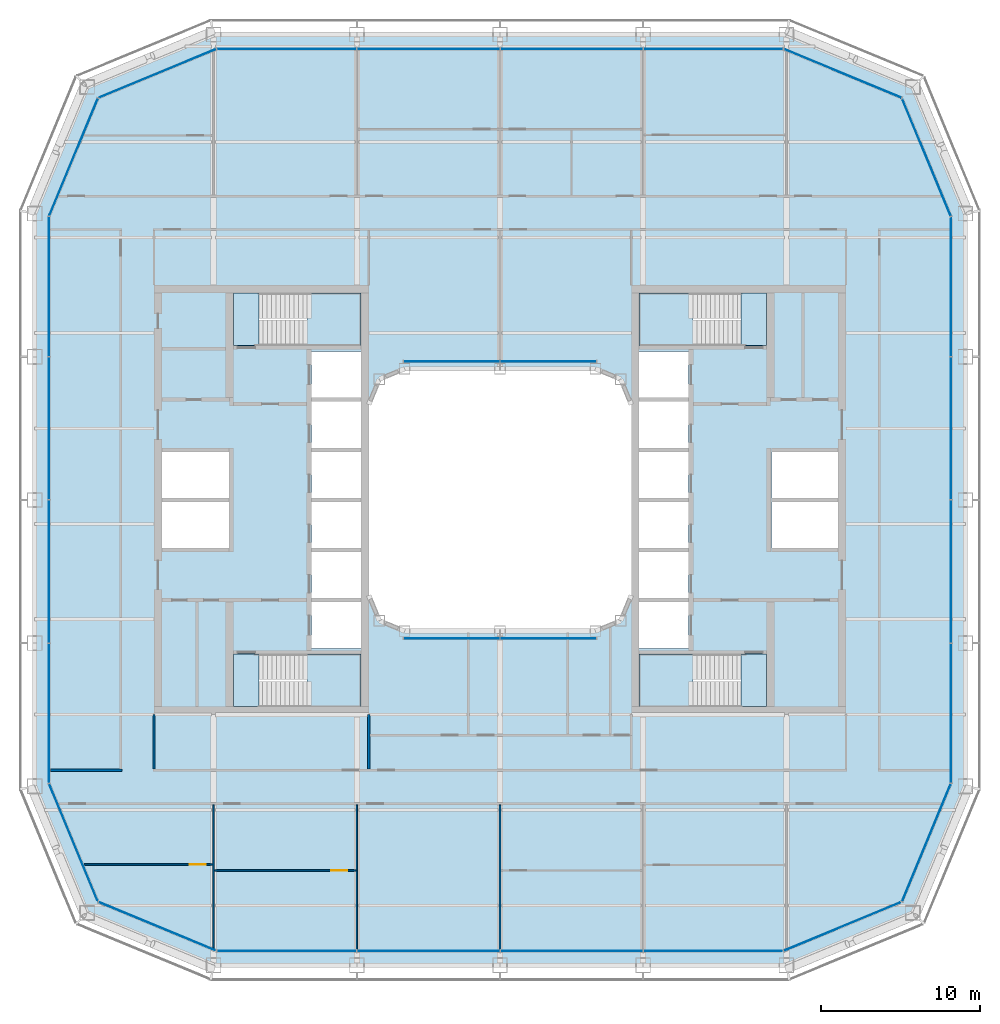
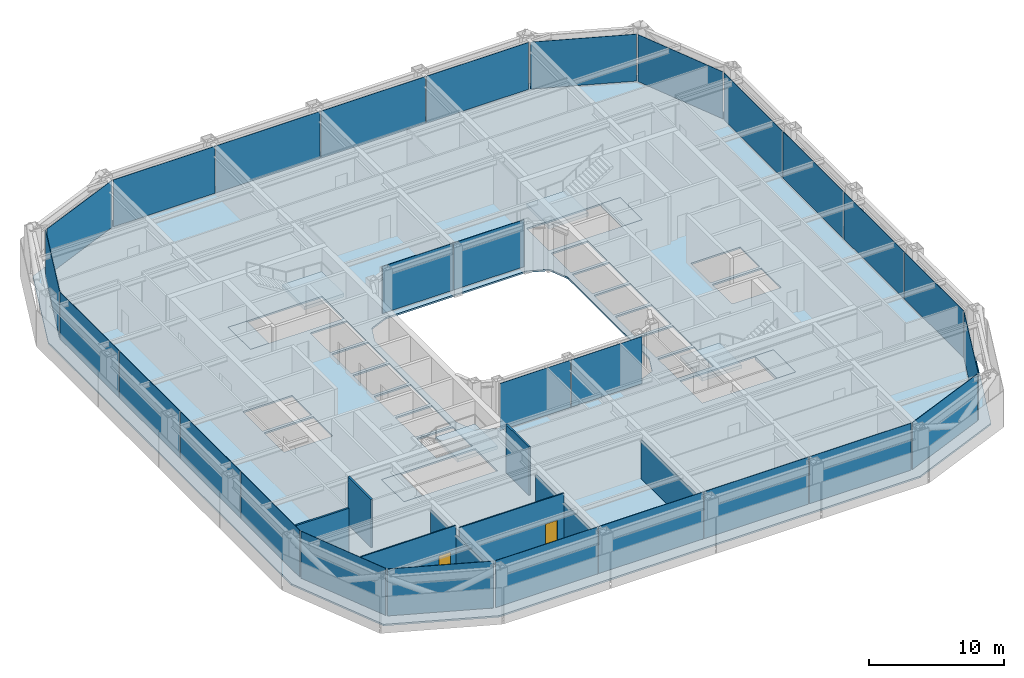
# One storey, part 10 of 21: 28 plates, 9 slabs, 8 walls, 2 doors, 2 openings, 18 elements without a shape of their own.
"""IFC4 building model written with IfcOpenShell, lengths in metres."""

import ifcopenshell
import ifcopenshell.guid

model = None  # the IFC model being written
_history = None  # IfcOwnerHistory: only IFC2X3 demands one
_inside = {}  # id of a spatial element -> (the spatial element, [elements in it])
_under = {}  # id of a project, library or spatial element -> (it, [spatial elements below it])
_declared = {}  # id of a project -> (the project, [libraries it declares])
_typed = {}  # id of a type object -> (the type object, [elements of that type])
_made_of = {}  # id of a material, layer set ... -> (it, [elements and type objects made of it])


def new_model(schema):
    """Start an empty IFC model of exactly this schema.

    Asked for "IFC4X3", IfcOpenShell would pick the latest addendum, in which some entities
    have other attributes; the version numbers below select the first issue.
    IFC2X3 requires an IfcOwnerHistory on every rooted entity: one is made here for all.
    """
    global model, _history
    if schema == "IFC4X3":
        model = ifcopenshell.file(schema_version=(4, 3, 0, 0))
    else:
        model = ifcopenshell.file(schema=schema)
    _inside.clear()
    _under.clear()
    _declared.clear()
    _typed.clear()
    _made_of.clear()
    _history = None
    if model.schema == "IFC2X3":
        org = make("IfcOrganization", Name="unknown")
        user = make(
            "IfcPersonAndOrganization",
            ThePerson=make("IfcPerson", FamilyName="unknown"),
            TheOrganization=org,
        )
        app = make(
            "IfcApplication",
            ApplicationDeveloper=org,
            Version="unknown",
            ApplicationFullName="unknown",
            ApplicationIdentifier="unknown",
        )
        _history = make(
            "IfcOwnerHistory",
            OwningUser=user,
            OwningApplication=app,
            ChangeAction="ADDED",
            CreationDate=0,
        )
    return model


def make(cls, **values):
    """One entity of the class cls with the attributes given. An attribute that is None is left unset."""
    return model.create_entity(
        cls, **{name: value for name, value in values.items() if value is not None}
    )


def rooted(cls, **values):
    """An entity with a GlobalId (a new one), such as an element, a storey or a relation."""
    return make(cls, GlobalId=ifcopenshell.guid.new(), OwnerHistory=_history, **values)


def si_unit(unit_type, name, prefix=None):
    """IfcSIUnit, for example si_unit("LENGTHUNIT", "METRE", prefix="MILLI")."""
    return make("IfcSIUnit", UnitType=unit_type, Prefix=prefix, Name=name)


def assignment(units):
    """IfcUnitAssignment: the units of a project."""
    return None if units is None else make("IfcUnitAssignment", Units=units)


def point(xyz):
    """IfcCartesianPoint."""
    return None if xyz is None else make("IfcCartesianPoint", Coordinates=xyz)


def direction(xyz):
    """IfcDirection."""
    return None if xyz is None else make("IfcDirection", DirectionRatios=xyz)


def frame(location, z_axis=None, x_axis=None):
    """IfcAxis2Placement3D, a coordinate frame: its origin and axes. An axis left out is left unset."""
    return make(
        "IfcAxis2Placement3D",
        Location=point(location),
        Axis=direction(z_axis),
        RefDirection=direction(x_axis),
    )


def frame_2d(location, x_axis=None):
    """IfcAxis2Placement2D, a coordinate frame in the plane: its origin and x axis."""
    return make(
        "IfcAxis2Placement2D", Location=point(location), RefDirection=direction(x_axis)
    )


def origin():
    """The frame at (0, 0, 0) with its axes left unset."""
    return frame((0.0, 0.0, 0.0))


def origin_2d():
    """The frame at (0, 0) in the plane with its x axis left unset."""
    return frame_2d((0.0, 0.0))


def place(relative_to, where):
    """IfcLocalPlacement: puts the frame where relative to a parent placement (None: the world)."""
    return make(
        "IfcLocalPlacement", PlacementRelTo=relative_to, RelativePlacement=where
    )


def context(
    kind, dimensions, precision=None, world=None, true_north=None, identifier=None
):
    """IfcGeometricRepresentationContext, for example the 3D "Model" context."""
    return make(
        "IfcGeometricRepresentationContext",
        ContextIdentifier=identifier,
        ContextType=kind,
        CoordinateSpaceDimension=dimensions,
        Precision=precision,
        WorldCoordinateSystem=world,
        TrueNorth=true_north,
    )


def subcontext(parent, identifier, kind, view, scale=None):
    """IfcGeometricRepresentationSubContext, for example "Body" below "Model"."""
    return make(
        "IfcGeometricRepresentationSubContext",
        ContextIdentifier=identifier,
        ContextType=kind,
        ParentContext=parent,
        TargetScale=scale,
        TargetView=view,
    )


def project(units=None, contexts=None):
    """IfcProject with its units and contexts."""
    return rooted(
        "IfcProject",
        Name="project",
        RepresentationContexts=contexts,
        UnitsInContext=assignment(units),
    )


def spatial(cls, under=None, at=None, **own):
    """A site, building, storey or space (cls), placed at a placement, below another one or the project."""
    s = rooted(cls, ObjectPlacement=at, **own)
    if under is not None:
        _under.setdefault(under.id(), (under, []))[1].append(s)
    return s


def polyline(points):
    """IfcPolyline through the points."""
    return make("IfcPolyline", Points=[point(p) for p in points])


def profile(cls, at=None, kind="AREA", **sizes):
    """A parametric profile (cls). Its sizes go by their IFC names, for example OverallWidth=200.0."""
    return make(cls, ProfileType=kind, Position=at, **sizes)


def rectangle(**sizes):
    """IfcRectangleProfileDef."""
    return profile("IfcRectangleProfileDef", **sizes)


def outline(outer, holes=None, kind="AREA"):
    """IfcArbitraryClosedProfileDef: a profile drawn as a closed curve; with holes, ...WithVoids."""
    if holes is None:
        return make("IfcArbitraryClosedProfileDef", ProfileType=kind, OuterCurve=outer)
    return make(
        "IfcArbitraryProfileDefWithVoids",
        ProfileType=kind,
        OuterCurve=outer,
        InnerCurves=holes,
    )


def extrude(swept, where, along, depth):
    """IfcExtrudedAreaSolid: the profile swept, set in the frame where, extruded along a direction by depth."""
    return make(
        "IfcExtrudedAreaSolid",
        SweptArea=swept,
        Position=where,
        ExtrudedDirection=direction(along),
        Depth=depth,
    )


def shape(context_of_items, identifier, shape_type, items):
    """IfcShapeRepresentation: the items that make up one representation, for example the "Body"."""
    return make(
        "IfcShapeRepresentation",
        ContextOfItems=context_of_items,
        RepresentationIdentifier=identifier,
        RepresentationType=shape_type,
        Items=items,
    )


def material(Name=None, Category=None):
    """IfcMaterial."""
    return make("IfcMaterial", Name=Name, Category=Category)


def layer(
    of_material, thickness, ventilated=None, Name=None, Category=None, Priority=None
):
    """IfcMaterialLayer: one layer of a wall or slab, of a material (None: an air gap)."""
    return make(
        "IfcMaterialLayer",
        Material=of_material,
        LayerThickness=thickness,
        IsVentilated=ventilated,
        Name=Name,
        Category=Category,
        Priority=Priority,
    )


def layer_set(layers, Name=None):
    """IfcMaterialLayerSet."""
    return make("IfcMaterialLayerSet", MaterialLayers=layers, LayerSetName=Name)


def made_of(thing, what):
    """Note that an element or type object is made of a material, layer set ...; save() writes the relation."""
    if what is not None:
        _made_of.setdefault(what.id(), (what, []))[1].append(thing)
    return thing


def type_object(cls, material=None, **own):
    """A type object (cls), such as IfcWallType, which elements share."""
    return made_of(rooted(cls, **own), material)


def element(
    cls,
    number,
    at=None,
    inside=None,
    cuts=None,
    type_object=None,
    material=None,
    context=None,
    identifier="Body",
    shape_type=None,
    held_by="IfcProductDefinitionShape",
    body=None,
    shapes=None,
    **own,
):
    """One element of the class cls, such as IfcWall. Its Tag is "e" and its number.

    at: its placement. inside: the storey or other place that contains it. cuts: it is an
    opening in that element (IfcRelVoidsElement). A single representation is given by context,
    identifier, shape_type and body (its items); several are given by shapes. held_by: the class
    of the entity that holds the representations. save() writes the other relations.
    """
    e = rooted(cls, Tag="e%d" % number, ObjectPlacement=at, **own)
    if body is not None:
        shapes = [shape(context, identifier, shape_type, body)]
    if shapes is not None:
        e.Representation = make(held_by, Representations=shapes)
    if inside is not None:
        _inside.setdefault(inside.id(), (inside, []))[1].append(e)
    if cuts is not None:
        rooted(
            "IfcRelVoidsElement", RelatingBuildingElement=cuts, RelatedOpeningElement=e
        )
    if type_object is not None:
        _typed.setdefault(type_object.id(), (type_object, []))[1].append(e)
    return made_of(e, material)


def fill(opening, filler):
    """IfcRelFillsElement: the door or window that sits in an opening."""
    return rooted(
        "IfcRelFillsElement",
        RelatingOpeningElement=opening,
        RelatedBuildingElement=filler,
    )


def aggregate(whole, parts):
    """IfcRelAggregates: a whole, such as a stair, and the parts it consists of."""
    return rooted("IfcRelAggregates", RelatingObject=whole, RelatedObjects=parts)


def save(model, path):
    """Write the relations noted so far, then the file.

    IfcRelAggregates (storeys below a building ...), IfcRelContainedInSpatialStructure (elements
    in a storey), IfcRelDefinesByType, IfcRelAssociatesMaterial and IfcRelDeclares: one each for
    every whole, place, type object, material and project.
    """
    for whole, parts in _under.values():
        aggregate(whole, parts)
    for where, things in _inside.values():
        rooted(
            "IfcRelContainedInSpatialStructure",
            RelatedElements=things,
            RelatingStructure=where,
        )
    for kind, things in _typed.values():
        rooted("IfcRelDefinesByType", RelatedObjects=things, RelatingType=kind)
    for what, things in _made_of.values():
        rooted("IfcRelAssociatesMaterial", RelatedObjects=things, RelatingMaterial=what)
    for by, libraries in _declared.values():
        rooted("IfcRelDeclares", RelatingContext=by, RelatedDefinitions=libraries)
    model.write(path)


model = new_model("IFC4")

# Units and contexts
model_context = context("Model", 3, precision=1e-05, world=origin(), true_north=direction((0.0, 1.0)))
body_context = subcontext(model_context, "Body", "Model", "MODEL_VIEW")
ifc_project = project(units=[si_unit("LENGTHUNIT", "METRE"), si_unit("AREAUNIT", "SQUARE_METRE"), si_unit("VOLUMEUNIT", "CUBIC_METRE"), si_unit("PLANEANGLEUNIT", "RADIAN"), si_unit("MASSUNIT", "GRAM", prefix="KILO")], contexts=[model_context])

# Site, building, storey
site_placement = place(None, origin())
site = spatial("IfcSite", under=ifc_project, at=site_placement, CompositionType="ELEMENT")
building_placement = place(site_placement, origin())
building = spatial("IfcBuilding", under=site, at=building_placement, Name="Siwar Civic Tower", CompositionType="ELEMENT")
storey_placement = place(building_placement, frame((0.0, 0.0, 104.699951171875)))
storey = spatial("IfcBuildingStorey", under=building, at=storey_placement, Name="L22", CompositionType="ELEMENT", Elevation=104.699951171875)

# Stair, slabs
ifc_material_1 = material(Name="Concrete C40/50", Category="concrete")
stair_type = type_object("IfcStairType", Name="CORE-STAIR", PredefinedType="TWO_STRAIGHT_RUN_STAIR", material=ifc_material_1)
stair_1_placement = place(storey_placement, origin())
stair_1 = element("IfcStair", 1, at=stair_1_placement, inside=storey, type_object=stair_type, Name="Exit stair ST1", PredefinedType="TWO_STRAIGHT_RUN_STAIR")
ifc_material_2 = material(Name="Concrete C40/50", Category="concrete")
ifc_layer_1 = layer(ifc_material_2, 0.300048828125)
ifc_layer_set_1 = layer_set([ifc_layer_1], Name="Concrete C40/50")
slab_type_1 = type_object("IfcSlabType", Name="CORE-STAIR-LANDING", PredefinedType="LANDING", material=ifc_layer_set_1)
slab_1_placement = place(storey_placement, frame((0.0, 0.0, -0.300048828125)))
slab_1 = element("IfcSlab", 2, at=slab_1_placement, type_object=slab_type_1, Name="ST1 landing 1", PredefinedType="LANDING", context=body_context, shape_type="SweptSolid", body=[
    extrude(outline(polyline([(-15.14990234375, 13.0), (-16.75, 13.0), (-16.75, 9.699951171875), (-15.14990234375, 9.699951171875), (-15.14990234375, 13.0)])), origin(), (0.0, 0.0, 1.0), 0.300048828125),
])
slab_2_placement = place(storey_placement, frame((0.0, 0.0, 1.949951171875)))
slab_2 = element("IfcSlab", 3, at=slab_2_placement, type_object=slab_type_1, Name="ST1 landing 2", PredefinedType="LANDING", context=body_context, shape_type="SweptSolid", body=[
    extrude(outline(polyline([(-8.75, 13.0), (-12.139892578125, 13.0), (-12.139892578125, 9.699951171875), (-8.75, 9.699951171875), (-8.75, 13.0)])), origin(), (0.0, 0.0, 1.0), 0.300048828125),
])
aggregate(stair_1, [slab_1, slab_2])

stair_2_placement = place(storey_placement, origin())
stair_2 = element("IfcStair", 4, at=stair_2_placement, inside=storey, type_object=stair_type, Name="Exit stair ST2", PredefinedType="TWO_STRAIGHT_RUN_STAIR")
slab_3_placement = place(storey_placement, frame((0.0, 0.0, -0.300048828125)))
slab_3 = element("IfcSlab", 5, at=slab_3_placement, type_object=slab_type_1, Name="ST2 landing 1", PredefinedType="LANDING", context=body_context, shape_type="SweptSolid", body=[
    extrude(outline(polyline([(-15.14990234375, -9.699951171875), (-16.75, -9.699951171875), (-16.75, -13.0), (-15.14990234375, -13.0), (-15.14990234375, -9.699951171875)])), origin(), (0.0, 0.0, 1.0), 0.300048828125),
])
slab_4_placement = place(storey_placement, frame((0.0, 0.0, 1.949951171875)))
slab_4 = element("IfcSlab", 6, at=slab_4_placement, type_object=slab_type_1, Name="ST2 landing 2", PredefinedType="LANDING", context=body_context, shape_type="SweptSolid", body=[
    extrude(outline(polyline([(-8.75, -9.699951171875), (-12.139892578125, -9.699951171875), (-12.139892578125, -13.0), (-8.75, -13.0), (-8.75, -9.699951171875)])), origin(), (0.0, 0.0, 1.0), 0.300048828125),
])
aggregate(stair_2, [slab_3, slab_4])

stair_3_placement = place(storey_placement, origin())
stair_3 = element("IfcStair", 7, at=stair_3_placement, inside=storey, type_object=stair_type, Name="Exit stair ST3", PredefinedType="TWO_STRAIGHT_RUN_STAIR")
slab_5_placement = place(storey_placement, frame((0.0, 0.0, -0.300048828125)))
slab_5 = element("IfcSlab", 8, at=slab_5_placement, type_object=slab_type_1, Name="ST3 landing 1", PredefinedType="LANDING", context=body_context, shape_type="SweptSolid", body=[
    extrude(outline(polyline([(15.14990234375, 9.699951171875), (16.75, 9.699951171875), (16.75, 13.0), (15.14990234375, 13.0), (15.14990234375, 9.699951171875)])), origin(), (0.0, 0.0, 1.0), 0.300048828125),
])
slab_6_placement = place(storey_placement, frame((0.0, 0.0, 1.949951171875)))
slab_6 = element("IfcSlab", 9, at=slab_6_placement, type_object=slab_type_1, Name="ST3 landing 2", PredefinedType="LANDING", context=body_context, shape_type="SweptSolid", body=[
    extrude(outline(polyline([(8.75, 9.699951171875), (12.139892578125, 9.699951171875), (12.139892578125, 13.0), (8.75, 13.0), (8.75, 9.699951171875)])), origin(), (0.0, 0.0, 1.0), 0.300048828125),
])
aggregate(stair_3, [slab_5, slab_6])

stair_4_placement = place(storey_placement, origin())
stair_4 = element("IfcStair", 10, at=stair_4_placement, inside=storey, type_object=stair_type, Name="Exit stair ST4", PredefinedType="TWO_STRAIGHT_RUN_STAIR")
slab_7_placement = place(storey_placement, frame((0.0, 0.0, -0.300048828125)))
slab_7 = element("IfcSlab", 11, at=slab_7_placement, type_object=slab_type_1, Name="ST4 landing 1", PredefinedType="LANDING", context=body_context, shape_type="SweptSolid", body=[
    extrude(outline(polyline([(15.14990234375, -13.0), (16.75, -13.0), (16.75, -9.699951171875), (15.14990234375, -9.699951171875), (15.14990234375, -13.0)])), origin(), (0.0, 0.0, 1.0), 0.300048828125),
])
slab_8_placement = place(storey_placement, frame((0.0, 0.0, 1.949951171875)))
slab_8 = element("IfcSlab", 12, at=slab_8_placement, type_object=slab_type_1, Name="ST4 landing 2", PredefinedType="LANDING", context=body_context, shape_type="SweptSolid", body=[
    extrude(outline(polyline([(8.75, -13.0), (12.139892578125, -13.0), (12.139892578125, -9.699951171875), (8.75, -9.699951171875), (8.75, -13.0)])), origin(), (0.0, 0.0, 1.0), 0.300048828125),
])
aggregate(stair_4, [slab_7, slab_8])

# Curtain wall, plates
ifc_material_3 = material(Name="Aluminium and glass", Category="aluminium")
ifc_layer_2 = layer(ifc_material_3, 0.199951171875)
ifc_layer_set_2 = layer_set([ifc_layer_2], Name="Aluminium and glass")
curtain_wall_type_1 = type_object("IfcCurtainWallType", Name="ENV-CW-B", PredefinedType="NOTDEFINED", material=ifc_layer_set_2)
curtain_wall_1_placement = place(storey_placement, origin())
curtain_wall_1 = element("IfcCurtainWall", 13, at=curtain_wall_1_placement, inside=storey, type_object=curtain_wall_type_1, Name="Curtain wall B S", PredefinedType="NOTDEFINED")
ifc_material_4 = material(Name="Glass clear laminated", Category="glass")
ifc_layer_3 = layer(ifc_material_4, 0.033935546875)
ifc_layer_set_3 = layer_set([ifc_layer_3], Name="Glass clear laminated")
plate_type_1 = type_object("IfcPlateType", Name="ENV-PANEL-B", PredefinedType="CURTAIN_PANEL", material=ifc_layer_set_3)
plate_1_placement = place(storey_placement, frame((-13.410400390625, -28.35009765625, 0.10986328125), z_axis=(0.0, 0.0, 1.0), x_axis=(1.0, 0.0, 0.0)))
plate_1 = element("IfcPlate", 14, at=plate_1_placement, type_object=plate_type_1, Name="Curtain panel B S 1", PredefinedType="CURTAIN_PANEL", context=body_context, shape_type="SweptSolid", body=[
    extrude(rectangle(XDim=8.755859375, YDim=0.033935546875, at=origin_2d()), origin(), (0.0, 0.0, 1.0), 4.239990234375),
])
plate_2_placement = place(storey_placement, frame((-4.5, -28.35009765625, 0.10986328125), z_axis=(0.0, 0.0, 1.0), x_axis=(1.0, 0.0, 0.0)))
plate_2 = element("IfcPlate", 15, at=plate_2_placement, type_object=plate_type_1, Name="Curtain panel B S 2", PredefinedType="CURTAIN_PANEL", context=body_context, shape_type="SweptSolid", body=[
    extrude(rectangle(XDim=8.93505859375, YDim=0.033935546875, at=origin_2d()), origin(), (0.0, 0.0, 1.0), 4.239990234375),
])
plate_3_placement = place(storey_placement, frame((4.5, -28.35009765625, 0.10986328125), z_axis=(0.0, 0.0, 1.0), x_axis=(1.0, 0.0, 0.0)))
plate_3 = element("IfcPlate", 16, at=plate_3_placement, type_object=plate_type_1, Name="Curtain panel B S 3", PredefinedType="CURTAIN_PANEL", context=body_context, shape_type="SweptSolid", body=[
    extrude(rectangle(XDim=8.93505859375, YDim=0.033935546875, at=origin_2d()), origin(), (0.0, 0.0, 1.0), 4.239990234375),
])
plate_4_placement = place(storey_placement, frame((13.369873046875, -28.35009765625, 0.10986328125), z_axis=(0.0, 0.0, 1.0), x_axis=(1.0, 0.0, 0.0)))
plate_4 = element("IfcPlate", 17, at=plate_4_placement, type_object=plate_type_1, Name="Curtain panel B S 4", PredefinedType="CURTAIN_PANEL", context=body_context, shape_type="SweptSolid", body=[
    extrude(rectangle(XDim=8.6748046875, YDim=0.033935546875, at=origin_2d()), origin(), (0.0, 0.0, 1.0), 4.239990234375),
])
aggregate(curtain_wall_1, [plate_1, plate_2, plate_3, plate_4])

curtain_wall_2_placement = place(storey_placement, origin())
curtain_wall_2 = element("IfcCurtainWall", 18, at=curtain_wall_2_placement, inside=storey, type_object=curtain_wall_type_1, Name="Curtain wall B E", PredefinedType="NOTDEFINED")
plate_5_placement = place(storey_placement, frame((28.35009765625, -13.410400390625, 0.10986328125), z_axis=(0.0, 0.0, 1.0), x_axis=(0.0, 1.0, 0.0)))
plate_5 = element("IfcPlate", 19, at=plate_5_placement, type_object=plate_type_1, Name="Curtain panel B E 1", PredefinedType="CURTAIN_PANEL", context=body_context, shape_type="SweptSolid", body=[
    extrude(rectangle(XDim=8.755859375, YDim=0.033935546875, at=origin_2d()), origin(), (0.0, 0.0, 1.0), 4.239990234375),
])
plate_6_placement = place(storey_placement, frame((28.35009765625, -4.5, 0.10986328125), z_axis=(0.0, 0.0, 1.0), x_axis=(0.0, 1.0, 0.0)))
plate_6 = element("IfcPlate", 20, at=plate_6_placement, type_object=plate_type_1, Name="Curtain panel B E 2", PredefinedType="CURTAIN_PANEL", context=body_context, shape_type="SweptSolid", body=[
    extrude(rectangle(XDim=8.93505859375, YDim=0.033935546875, at=origin_2d()), origin(), (0.0, 0.0, 1.0), 4.239990234375),
])
plate_7_placement = place(storey_placement, frame((28.35009765625, 4.5, 0.10986328125), z_axis=(0.0, 0.0, 1.0), x_axis=(0.0, 1.0, 0.0)))
plate_7 = element("IfcPlate", 21, at=plate_7_placement, type_object=plate_type_1, Name="Curtain panel B E 3", PredefinedType="CURTAIN_PANEL", context=body_context, shape_type="SweptSolid", body=[
    extrude(rectangle(XDim=8.93505859375, YDim=0.033935546875, at=origin_2d()), origin(), (0.0, 0.0, 1.0), 4.239990234375),
])
plate_8_placement = place(storey_placement, frame((28.35009765625, 13.369873046875, 0.10986328125), z_axis=(0.0, 0.0, 1.0), x_axis=(0.0, 1.0, 0.0)))
plate_8 = element("IfcPlate", 22, at=plate_8_placement, type_object=plate_type_1, Name="Curtain panel B E 4", PredefinedType="CURTAIN_PANEL", context=body_context, shape_type="SweptSolid", body=[
    extrude(rectangle(XDim=8.6748046875, YDim=0.033935546875, at=origin_2d()), origin(), (0.0, 0.0, 1.0), 4.239990234375),
])
aggregate(curtain_wall_2, [plate_5, plate_6, plate_7, plate_8])

curtain_wall_3_placement = place(storey_placement, origin())
curtain_wall_3 = element("IfcCurtainWall", 23, at=curtain_wall_3_placement, inside=storey, type_object=curtain_wall_type_1, Name="Curtain wall B N", PredefinedType="NOTDEFINED")
plate_9_placement = place(storey_placement, frame((13.410400390625, 28.35009765625, 0.10986328125), z_axis=(0.0, 0.0, 1.0), x_axis=(-1.0, 0.0, 0.0)))
plate_9 = element("IfcPlate", 24, at=plate_9_placement, type_object=plate_type_1, Name="Curtain panel B N 1", PredefinedType="CURTAIN_PANEL", context=body_context, shape_type="SweptSolid", body=[
    extrude(rectangle(XDim=8.755859375, YDim=0.033935546875, at=origin_2d()), origin(), (0.0, 0.0, 1.0), 4.239990234375),
])
plate_10_placement = place(storey_placement, frame((4.5, 28.35009765625, 0.10986328125), z_axis=(0.0, 0.0, 1.0), x_axis=(-1.0, 0.0, 0.0)))
plate_10 = element("IfcPlate", 25, at=plate_10_placement, type_object=plate_type_1, Name="Curtain panel B N 2", PredefinedType="CURTAIN_PANEL", context=body_context, shape_type="SweptSolid", body=[
    extrude(rectangle(XDim=8.93505859375, YDim=0.033935546875, at=origin_2d()), origin(), (0.0, 0.0, 1.0), 4.239990234375),
])
plate_11_placement = place(storey_placement, frame((-4.5, 28.35009765625, 0.10986328125), z_axis=(0.0, 0.0, 1.0), x_axis=(-1.0, 0.0, 0.0)))
plate_11 = element("IfcPlate", 26, at=plate_11_placement, type_object=plate_type_1, Name="Curtain panel B N 3", PredefinedType="CURTAIN_PANEL", context=body_context, shape_type="SweptSolid", body=[
    extrude(rectangle(XDim=8.93505859375, YDim=0.033935546875, at=origin_2d()), origin(), (0.0, 0.0, 1.0), 4.239990234375),
])
plate_12_placement = place(storey_placement, frame((-13.369873046875, 28.35009765625, 0.10986328125), z_axis=(0.0, 0.0, 1.0), x_axis=(-1.0, 0.0, 0.0)))
plate_12 = element("IfcPlate", 27, at=plate_12_placement, type_object=plate_type_1, Name="Curtain panel B N 4", PredefinedType="CURTAIN_PANEL", context=body_context, shape_type="SweptSolid", body=[
    extrude(rectangle(XDim=8.6748046875, YDim=0.033935546875, at=origin_2d()), origin(), (0.0, 0.0, 1.0), 4.239990234375),
])
aggregate(curtain_wall_3, [plate_9, plate_10, plate_11, plate_12])

curtain_wall_4_placement = place(storey_placement, origin())
curtain_wall_4 = element("IfcCurtainWall", 28, at=curtain_wall_4_placement, inside=storey, type_object=curtain_wall_type_1, Name="Curtain wall B W", PredefinedType="NOTDEFINED")
plate_13_placement = place(storey_placement, frame((-28.35009765625, 13.410400390625, 0.10986328125), z_axis=(0.0, 0.0, 1.0), x_axis=(0.0, -1.0, 0.0)))
plate_13 = element("IfcPlate", 29, at=plate_13_placement, type_object=plate_type_1, Name="Curtain panel B W 1", PredefinedType="CURTAIN_PANEL", context=body_context, shape_type="SweptSolid", body=[
    extrude(rectangle(XDim=8.755859375, YDim=0.033935546875, at=origin_2d()), origin(), (0.0, 0.0, 1.0), 4.239990234375),
])
plate_14_placement = place(storey_placement, frame((-28.35009765625, 4.5, 0.10986328125), z_axis=(0.0, 0.0, 1.0), x_axis=(0.0, -1.0, 0.0)))
plate_14 = element("IfcPlate", 30, at=plate_14_placement, type_object=plate_type_1, Name="Curtain panel B W 2", PredefinedType="CURTAIN_PANEL", context=body_context, shape_type="SweptSolid", body=[
    extrude(rectangle(XDim=8.93505859375, YDim=0.033935546875, at=origin_2d()), origin(), (0.0, 0.0, 1.0), 4.239990234375),
])
plate_15_placement = place(storey_placement, frame((-28.35009765625, -4.5, 0.10986328125), z_axis=(0.0, 0.0, 1.0), x_axis=(0.0, -1.0, 0.0)))
plate_15 = element("IfcPlate", 31, at=plate_15_placement, type_object=plate_type_1, Name="Curtain panel B W 3", PredefinedType="CURTAIN_PANEL", context=body_context, shape_type="SweptSolid", body=[
    extrude(rectangle(XDim=8.93505859375, YDim=0.033935546875, at=origin_2d()), origin(), (0.0, 0.0, 1.0), 4.239990234375),
])
plate_16_placement = place(storey_placement, frame((-28.35009765625, -13.369873046875, 0.10986328125), z_axis=(0.0, 0.0, 1.0), x_axis=(0.0, -1.0, 0.0)))
plate_16 = element("IfcPlate", 32, at=plate_16_placement, type_object=plate_type_1, Name="Curtain panel B W 4", PredefinedType="CURTAIN_PANEL", context=body_context, shape_type="SweptSolid", body=[
    extrude(rectangle(XDim=8.6748046875, YDim=0.033935546875, at=origin_2d()), origin(), (0.0, 0.0, 1.0), 4.239990234375),
])
aggregate(curtain_wall_4, [plate_13, plate_14, plate_15, plate_16])

# Curtain wall, plate
ifc_material_5 = material(Name="Aluminium clad insulated panel", Category="aluminium")
ifc_layer_4 = layer(ifc_material_5, 0.199951171875)
ifc_layer_set_4 = layer_set([ifc_layer_4], Name="Aluminium clad insulated panel")
curtain_wall_type_2 = type_object("IfcCurtainWallType", Name="ENV-CW-BX", PredefinedType="NOTDEFINED", material=ifc_layer_set_4)
curtain_wall_5_placement = place(storey_placement, origin())
curtain_wall_5 = element("IfcCurtainWall", 33, at=curtain_wall_5_placement, inside=storey, type_object=curtain_wall_type_2, Name="Curtain wall B SE1", PredefinedType="NOTDEFINED")
ifc_material_6 = material(Name="Aluminium clad insulated panel", Category="aluminium")
ifc_layer_5 = layer(ifc_material_6, 0.033935546875)
ifc_layer_set_5 = layer_set([ifc_layer_5], Name="Aluminium clad insulated panel")
plate_type_2 = type_object("IfcPlateType", Name="ENV-PANEL-BX", PredefinedType="CURTAIN_PANEL", material=ifc_layer_set_5)
plate_17_placement = place(storey_placement, frame((21.506103515625, -26.823486328125, 0.10986328125), z_axis=(0.0, 0.0, 1.0), x_axis=(0.923879532511, 0.382683432365, 0.0)))
plate_17 = element("IfcPlate", 34, at=plate_17_placement, type_object=plate_type_2, Name="Curtain panel B SE1 1", PredefinedType="CURTAIN_PANEL", context=body_context, shape_type="SweptSolid", body=[
    extrude(rectangle(XDim=7.912353515625, YDim=0.033935546875, at=origin_2d()), origin(), (0.0, 0.0, 1.0), 4.239990234375),
])
aggregate(curtain_wall_5, [plate_17])

curtain_wall_6_placement = place(storey_placement, origin())
curtain_wall_6 = element("IfcCurtainWall", 35, at=curtain_wall_6_placement, inside=storey, type_object=curtain_wall_type_2, Name="Curtain wall B SE2", PredefinedType="NOTDEFINED")
plate_18_placement = place(storey_placement, frame((26.79248046875, -21.5810546875, 0.10986328125), z_axis=(0.0, 0.0, 1.0), x_axis=(0.382683432365, 0.923879532511, 0.0)))
plate_18 = element("IfcPlate", 36, at=plate_18_placement, type_object=plate_type_2, Name="Curtain panel B SE2 1", PredefinedType="CURTAIN_PANEL", context=body_context, shape_type="SweptSolid", body=[
    extrude(rectangle(XDim=7.912353515625, YDim=0.033935546875, at=origin_2d()), origin(), (0.0, 0.0, 1.0), 4.239990234375),
])
aggregate(curtain_wall_6, [plate_18])

curtain_wall_7_placement = place(storey_placement, origin())
curtain_wall_7 = element("IfcCurtainWall", 37, at=curtain_wall_7_placement, inside=storey, type_object=curtain_wall_type_2, Name="Curtain wall B NE1", PredefinedType="NOTDEFINED")
plate_19_placement = place(storey_placement, frame((26.823486328125, 21.506103515625, 0.10986328125), z_axis=(0.0, 0.0, 1.0), x_axis=(-0.382683432365, 0.923879532511, 0.0)))
plate_19 = element("IfcPlate", 38, at=plate_19_placement, type_object=plate_type_2, Name="Curtain panel B NE1 1", PredefinedType="CURTAIN_PANEL", context=body_context, shape_type="SweptSolid", body=[
    extrude(rectangle(XDim=7.912353515625, YDim=0.033935546875, at=origin_2d()), origin(), (0.0, 0.0, 1.0), 4.239990234375),
])
aggregate(curtain_wall_7, [plate_19])

curtain_wall_8_placement = place(storey_placement, origin())
curtain_wall_8 = element("IfcCurtainWall", 39, at=curtain_wall_8_placement, inside=storey, type_object=curtain_wall_type_2, Name="Curtain wall B NE2", PredefinedType="NOTDEFINED")
plate_20_placement = place(storey_placement, frame((21.5810546875, 26.79248046875, 0.10986328125), z_axis=(0.0, 0.0, 1.0), x_axis=(-0.923879532511, 0.382683432365, 0.0)))
plate_20 = element("IfcPlate", 40, at=plate_20_placement, type_object=plate_type_2, Name="Curtain panel B NE2 1", PredefinedType="CURTAIN_PANEL", context=body_context, shape_type="SweptSolid", body=[
    extrude(rectangle(XDim=7.912353515625, YDim=0.033935546875, at=origin_2d()), origin(), (0.0, 0.0, 1.0), 4.239990234375),
])
aggregate(curtain_wall_8, [plate_20])

curtain_wall_9_placement = place(storey_placement, origin())
curtain_wall_9 = element("IfcCurtainWall", 41, at=curtain_wall_9_placement, inside=storey, type_object=curtain_wall_type_2, Name="Curtain wall B NW1", PredefinedType="NOTDEFINED")
plate_21_placement = place(storey_placement, frame((-21.506103515625, 26.823486328125, 0.10986328125), z_axis=(0.0, 0.0, 1.0), x_axis=(-0.923879532511, -0.382683432365, 0.0)))
plate_21 = element("IfcPlate", 42, at=plate_21_placement, type_object=plate_type_2, Name="Curtain panel B NW1 1", PredefinedType="CURTAIN_PANEL", context=body_context, shape_type="SweptSolid", body=[
    extrude(rectangle(XDim=7.912353515625, YDim=0.033935546875, at=origin_2d()), origin(), (0.0, 0.0, 1.0), 4.239990234375),
])
aggregate(curtain_wall_9, [plate_21])

curtain_wall_10_placement = place(storey_placement, origin())
curtain_wall_10 = element("IfcCurtainWall", 43, at=curtain_wall_10_placement, inside=storey, type_object=curtain_wall_type_2, Name="Curtain wall B NW2", PredefinedType="NOTDEFINED")
plate_22_placement = place(storey_placement, frame((-26.79248046875, 21.5810546875, 0.10986328125), z_axis=(0.0, 0.0, 1.0), x_axis=(-0.382683432365, -0.923879532511, 0.0)))
plate_22 = element("IfcPlate", 44, at=plate_22_placement, type_object=plate_type_2, Name="Curtain panel B NW2 1", PredefinedType="CURTAIN_PANEL", context=body_context, shape_type="SweptSolid", body=[
    extrude(rectangle(XDim=7.912353515625, YDim=0.033935546875, at=origin_2d()), origin(), (0.0, 0.0, 1.0), 4.239990234375),
])
aggregate(curtain_wall_10, [plate_22])

curtain_wall_11_placement = place(storey_placement, origin())
curtain_wall_11 = element("IfcCurtainWall", 45, at=curtain_wall_11_placement, inside=storey, type_object=curtain_wall_type_2, Name="Curtain wall B SW1", PredefinedType="NOTDEFINED")
plate_23_placement = place(storey_placement, frame((-26.823486328125, -21.506103515625, 0.10986328125), z_axis=(0.0, 0.0, 1.0), x_axis=(0.382683432365, -0.923879532511, 0.0)))
plate_23 = element("IfcPlate", 46, at=plate_23_placement, type_object=plate_type_2, Name="Curtain panel B SW1 1", PredefinedType="CURTAIN_PANEL", context=body_context, shape_type="SweptSolid", body=[
    extrude(rectangle(XDim=7.912353515625, YDim=0.033935546875, at=origin_2d()), origin(), (0.0, 0.0, 1.0), 4.239990234375),
])
aggregate(curtain_wall_11, [plate_23])

curtain_wall_12_placement = place(storey_placement, origin())
curtain_wall_12 = element("IfcCurtainWall", 47, at=curtain_wall_12_placement, inside=storey, type_object=curtain_wall_type_2, Name="Curtain wall B SW2", PredefinedType="NOTDEFINED")
plate_24_placement = place(storey_placement, frame((-21.5810546875, -26.79248046875, 0.10986328125), z_axis=(0.0, 0.0, 1.0), x_axis=(0.923879532511, -0.382683432365, 0.0)))
plate_24 = element("IfcPlate", 48, at=plate_24_placement, type_object=plate_type_2, Name="Curtain panel B SW2 1", PredefinedType="CURTAIN_PANEL", context=body_context, shape_type="SweptSolid", body=[
    extrude(rectangle(XDim=7.912353515625, YDim=0.033935546875, at=origin_2d()), origin(), (0.0, 0.0, 1.0), 4.239990234375),
])
aggregate(curtain_wall_12, [plate_24])

# Curtain wall, plates
ifc_material_7 = material(Name="Aluminium and glass", Category="aluminium")
ifc_layer_6 = layer(ifc_material_7, 0.179931640625)
ifc_layer_set_6 = layer_set([ifc_layer_6], Name="Aluminium and glass")
curtain_wall_type_3 = type_object("IfcCurtainWallType", Name="ENV-CW-W", PredefinedType="NOTDEFINED", material=ifc_layer_set_6)
curtain_wall_13_placement = place(storey_placement, origin())
curtain_wall_13 = element("IfcCurtainWall", 49, at=curtain_wall_13_placement, inside=storey, type_object=curtain_wall_type_3, Name="Curtain wall W WS", PredefinedType="NOTDEFINED")
ifc_material_8 = material(Name="Glass clear laminated", Category="glass")
ifc_layer_7 = layer(ifc_material_8, 0.031982421875)
ifc_layer_set_7 = layer_set([ifc_layer_7], Name="Glass clear laminated")
plate_type_3 = type_object("IfcPlateType", Name="ENV-PANEL-W", PredefinedType="CURTAIN_PANEL", material=ifc_layer_set_7)
plate_25_placement = place(storey_placement, frame((-3.045654296875, -8.7099609375, 0.10009765625), z_axis=(0.0, 0.0, 1.0), x_axis=(1.0, 0.0, 0.0)))
plate_25 = element("IfcPlate", 50, at=plate_25_placement, type_object=plate_type_3, Name="Curtain panel W WS 1", PredefinedType="CURTAIN_PANEL", context=body_context, shape_type="SweptSolid", body=[
    extrude(rectangle(XDim=6.031494140625, YDim=0.031982421875, at=origin_2d()), origin(), (0.0, 0.0, 1.0), 4.25),
])
plate_26_placement = place(storey_placement, frame((3.045654296875, -8.7099609375, 0.10009765625), z_axis=(0.0, 0.0, 1.0), x_axis=(1.0, 0.0, 0.0)))
plate_26 = element("IfcPlate", 51, at=plate_26_placement, type_object=plate_type_3, Name="Curtain panel W WS 2", PredefinedType="CURTAIN_PANEL", context=body_context, shape_type="SweptSolid", body=[
    extrude(rectangle(XDim=6.031494140625, YDim=0.031982421875, at=origin_2d()), origin(), (0.0, 0.0, 1.0), 4.25),
])
aggregate(curtain_wall_13, [plate_25, plate_26])

curtain_wall_14_placement = place(storey_placement, origin())
curtain_wall_14 = element("IfcCurtainWall", 52, at=curtain_wall_14_placement, inside=storey, type_object=curtain_wall_type_3, Name="Curtain wall W WN", PredefinedType="NOTDEFINED")
plate_27_placement = place(storey_placement, frame((3.045654296875, 8.7099609375, 0.10009765625), z_axis=(0.0, 0.0, 1.0), x_axis=(-1.0, 0.0, 0.0)))
plate_27 = element("IfcPlate", 53, at=plate_27_placement, type_object=plate_type_3, Name="Curtain panel W WN 1", PredefinedType="CURTAIN_PANEL", context=body_context, shape_type="SweptSolid", body=[
    extrude(rectangle(XDim=6.031494140625, YDim=0.031982421875, at=origin_2d()), origin(), (0.0, 0.0, 1.0), 4.25),
])
plate_28_placement = place(storey_placement, frame((-3.045654296875, 8.7099609375, 0.10009765625), z_axis=(0.0, 0.0, 1.0), x_axis=(-1.0, 0.0, 0.0)))
plate_28 = element("IfcPlate", 54, at=plate_28_placement, type_object=plate_type_3, Name="Curtain panel W WN 2", PredefinedType="CURTAIN_PANEL", context=body_context, shape_type="SweptSolid", body=[
    extrude(rectangle(XDim=6.031494140625, YDim=0.031982421875, at=origin_2d()), origin(), (0.0, 0.0, 1.0), 4.25),
])
aggregate(curtain_wall_14, [plate_27, plate_28])

# Slab
ifc_material_9 = material(Name="Concrete C40/50", Category="concrete")
ifc_layer_8 = layer(ifc_material_9, 0.14990234375)
ifc_layer_set_8 = layer_set([ifc_layer_8], Name="Concrete C40/50")
slab_type_2 = type_object("IfcSlabType", Name="STR-FLOOR-DECK-150", PredefinedType="FLOOR", material=ifc_layer_set_8)
slab_9_placement = place(storey_placement, frame((0.0, 0.0, -0.14990234375)))
element("IfcSlab", 55, at=slab_9_placement, inside=storey, type_object=slab_type_2, Name="L22/slab/1", PredefinedType="FLOOR", context=body_context, shape_type="SweptSolid", body=[
    extrude(outline(polyline([(-18.0, -29.25), (18.0, -29.25), (25.954833984375, -25.954833984375), (29.25, -18.0), (29.25, 18.0), (25.954833984375, 25.954833984375), (18.0, 29.25), (-18.0, 29.25), (-25.954833984375, 25.954833984375), (-29.25, 18.0), (-29.25, -18.0), (-25.954833984375, -25.954833984375), (-18.0, -29.25)]), holes=[polyline([(21.25, 3.02490234375), (21.25, 0.125), (17.050048828125, 0.125), (17.050048828125, 3.02490234375), (21.25, 3.02490234375)]), polyline([(17.050048828125, -0.125), (21.25, -0.125), (21.25, -3.02490234375), (17.050048828125, -3.02490234375), (17.050048828125, -0.125)]), polyline([(16.75, 13.0), (16.75, 9.699951171875), (8.75, 9.699951171875), (8.75, 13.0), (16.75, 13.0)]), polyline([(8.75, -9.699951171875), (16.75, -9.699951171875), (16.75, -13.0), (8.75, -13.0), (8.75, -9.699951171875)]), polyline([(11.85009765625, 9.324951171875), (11.85009765625, 6.425048828125), (8.75, 6.425048828125), (8.75, 9.324951171875), (11.85009765625, 9.324951171875)]), polyline([(11.85009765625, 3.02490234375), (11.85009765625, 0.125), (8.75, 0.125), (8.75, 3.02490234375), (11.85009765625, 3.02490234375)]), polyline([(11.85009765625, -0.125), (11.85009765625, -3.02490234375), (8.75, -3.02490234375), (8.75, -0.125), (11.85009765625, -0.125)]), polyline([(11.85009765625, -3.27490234375), (11.85009765625, -6.175048828125), (8.75, -6.175048828125), (8.75, -3.27490234375), (11.85009765625, -3.27490234375)]), polyline([(8.75, 6.175048828125), (11.85009765625, 6.175048828125), (11.85009765625, 3.27490234375), (8.75, 3.27490234375), (8.75, 6.175048828125)]), polyline([(8.75, -6.425048828125), (11.85009765625, -6.425048828125), (11.85009765625, -9.324951171875), (8.75, -9.324951171875), (8.75, -6.425048828125)]), polyline([(-6.0, 8.25), (6.0, 8.25), (7.591064453125, 7.591064453125), (8.25, 6.0), (8.25, -6.0), (7.591064453125, -7.591064453125), (6.0, -8.25), (-6.0, -8.25), (-7.591064453125, -7.591064453125), (-8.25, -6.0), (-8.25, 6.0), (-7.591064453125, 7.591064453125), (-6.0, 8.25)]), polyline([(-8.75, 9.699951171875), (-16.75, 9.699951171875), (-16.75, 13.0), (-8.75, 13.0), (-8.75, 9.699951171875)]), polyline([(-8.75, 0.125), (-11.85009765625, 0.125), (-11.85009765625, 3.02490234375), (-8.75, 3.02490234375), (-8.75, 0.125)]), polyline([(-8.75, -6.175048828125), (-11.85009765625, -6.175048828125), (-11.85009765625, -3.27490234375), (-8.75, -3.27490234375), (-8.75, -6.175048828125)]), polyline([(-8.75, -9.324951171875), (-11.85009765625, -9.324951171875), (-11.85009765625, -6.425048828125), (-8.75, -6.425048828125), (-8.75, -9.324951171875)]), polyline([(-8.75, -13.0), (-16.75, -13.0), (-16.75, -9.699951171875), (-8.75, -9.699951171875), (-8.75, -13.0)]), polyline([(-11.85009765625, 6.425048828125), (-11.85009765625, 9.324951171875), (-8.75, 9.324951171875), (-8.75, 6.425048828125), (-11.85009765625, 6.425048828125)]), polyline([(-11.85009765625, 3.27490234375), (-11.85009765625, 6.175048828125), (-8.75, 6.175048828125), (-8.75, 3.27490234375), (-11.85009765625, 3.27490234375)]), polyline([(-11.85009765625, -3.02490234375), (-11.85009765625, -0.125), (-8.75, -0.125), (-8.75, -3.02490234375), (-11.85009765625, -3.02490234375)]), polyline([(-21.25, -3.02490234375), (-21.25, -0.125), (-17.050048828125, -0.125), (-17.050048828125, -3.02490234375), (-21.25, -3.02490234375)]), polyline([(-17.050048828125, 0.125), (-21.25, 0.125), (-21.25, 3.02490234375), (-17.050048828125, 3.02490234375), (-17.050048828125, 0.125)])]), origin(), (0.0, 0.0, 1.0), 0.14990234375),
])

# Walls
ifc_material_10 = material(Name="Gypsum board on steel studs", Category="steel")
ifc_layer_9 = layer(ifc_material_10, 0.14990234375)
ifc_layer_set_9 = layer_set([ifc_layer_9], Name="Gypsum board on steel studs")
wall_type_1 = type_object("IfcWallType", Name="CORRIDOR PARTITION 150 EI 30", PredefinedType="PARTITIONING", material=ifc_layer_set_9)
wall_1_placement = place(storey_placement, frame((-28.260009765625, -17.0, 0.0), z_axis=(0.0, 0.0, 1.0), x_axis=(1.0, 0.0, 0.0)))
element("IfcWall", 56, at=wall_1_placement, inside=storey, type_object=wall_type_1, Name="L22/wall/P06", PredefinedType="PARTITIONING", context=body_context, shape_type="SweptSolid", body=[
    extrude(rectangle(XDim=4.485107421875, YDim=0.14990234375, at=frame_2d((2.24267578125, 0.0))), origin(), (0.0, 0.0, 1.0), 4.35009765625),
])
for number, where, z_axis, x_axis, name in (
    (57, (-21.75, -16.925048828125, 0.0), (0.0, 0.0, 1.0), (0.0, 1.0, 0.0), "L22/wall/P19"),
    (58, (-8.25, -16.925048828125, 0.0), (0.0, 0.0, 1.0), (0.0, 1.0, 0.0), "L22/wall/P26"),
):
    element("IfcWall", number, at=place(storey_placement, frame(where, z_axis=z_axis, x_axis=x_axis)), inside=storey, type_object=wall_type_1, Name=name, PredefinedType="PARTITIONING", context=body_context, shape_type="SweptSolid", body=[
        extrude(rectangle(XDim=3.425048828125, YDim=0.14990234375, at=frame_2d((1.71240234375, 0.0))), origin(), (0.0, 0.0, 1.0), 4.35009765625),
    ])

# Wall, opening, door
ifc_material_11 = material(Name="Gypsum board on steel studs", Category="steel")
ifc_layer_10 = layer(ifc_material_11, 0.10009765625)
ifc_layer_set_10 = layer_set([ifc_layer_10], Name="Gypsum board on steel studs")
wall_type_2 = type_object("IfcWallType", Name="PARTITION 100 GYPSUM", PredefinedType="PARTITIONING", material=ifc_layer_set_10)
wall_2_placement = place(storey_placement, frame((-17.949951171875, -23.300048828125, 0.0), z_axis=(0.0, 0.0, 1.0), x_axis=(1.0, 0.0, 0.0)))
wall_2 = element("IfcWall", 59, at=wall_2_placement, inside=storey, type_object=wall_type_2, Name="L22/wall/P01", PredefinedType="PARTITIONING", context=body_context, shape_type="SweptSolid", body=[
    extrude(rectangle(XDim=8.89990234375, YDim=0.10009765625, at=frame_2d((4.449951171875, 0.0))), origin(), (0.0, 0.0, 1.0), 4.35009765625),
])
opening_1_placement = place(wall_2_placement, frame((7.35009765625, 0.0, 0.0)))
opening_1 = element("IfcOpeningElement", 60, at=opening_1_placement, cuts=wall_2, Name="Opening D2", PredefinedType="OPENING", context=body_context, shape_type="SweptSolid", body=[
    extrude(rectangle(XDim=1.0, YDim=2.10009765625, at=frame_2d((0.5, 1.050048828125))), frame((0.0, 0.06005859375, 0.0), z_axis=(0.0, -1.0, 0.0), x_axis=(1.0, 0.0, 0.0)), (0.0, 0.0, 1.0), 0.1201171875),
])
ifc_material_12 = material(Name="Timber, painted", Category="wood")
door_type = type_object("IfcDoorType", Name="DOOR 1000 X 2100", OperationType="SINGLE_SWING_LEFT", PredefinedType="DOOR", material=ifc_material_12)
door_1_placement = place(opening_1_placement, origin())
door_1 = element("IfcDoor", 61, at=door_1_placement, inside=storey, type_object=door_type, Name="L22-D10", OperationType="SINGLE_SWING_RIGHT", OverallHeight=2.10009765625, OverallWidth=1.0, PredefinedType="DOOR", context=body_context, shape_type="SweptSolid", body=[
    extrude(rectangle(XDim=1.0, YDim=2.10009765625, at=frame_2d((0.5, 1.050048828125))), frame((0.0, 0.02490234375, 0.0), z_axis=(0.0, -1.0, 0.0), x_axis=(1.0, 0.0, 0.0)), (0.0, 0.0, 1.0), 0.050048828125),
])
fill(opening_1, door_1)

wall_3_placement = place(storey_placement, frame((-26.14306640625, -22.9130859375, 0.0), z_axis=(0.0, 0.0, 1.0), x_axis=(1.0, 0.0, 0.0)))
wall_3 = element("IfcWall", 62, at=wall_3_placement, inside=storey, type_object=wall_type_2, Name="L22/wall/P04", PredefinedType="PARTITIONING", context=body_context, shape_type="SweptSolid", body=[
    extrude(rectangle(XDim=8.093017578125, YDim=0.10009765625, at=frame_2d((4.04638671875, 0.0))), origin(), (0.0, 0.0, 1.0), 4.35009765625),
])
opening_2_placement = place(wall_3_placement, frame((6.64990234375, 0.0, 0.0)))
opening_2 = element("IfcOpeningElement", 63, at=opening_2_placement, cuts=wall_3, Name="Opening D2", PredefinedType="OPENING", context=body_context, shape_type="SweptSolid", body=[
    extrude(rectangle(XDim=1.0, YDim=2.10009765625, at=frame_2d((0.5, 1.050048828125))), frame((0.0, 0.06005859375, 0.0), z_axis=(0.0, -1.0, 0.0), x_axis=(1.0, 0.0, 0.0)), (0.0, 0.0, 1.0), 0.1201171875),
])
door_2_placement = place(opening_2_placement, origin())
door_2 = element("IfcDoor", 64, at=door_2_placement, inside=storey, type_object=door_type, Name="L22-D20", OperationType="SINGLE_SWING_RIGHT", OverallHeight=2.10009765625, OverallWidth=1.0, PredefinedType="DOOR", context=body_context, shape_type="SweptSolid", body=[
    extrude(rectangle(XDim=1.0, YDim=2.10009765625, at=frame_2d((0.5, 1.050048828125))), frame((0.0, 0.02490234375, 0.0), z_axis=(0.0, -1.0, 0.0), x_axis=(1.0, 0.0, 0.0)), (0.0, 0.0, 1.0), 0.050048828125),
])
fill(opening_2, door_2)

# Walls
wall_4_placement = place(storey_placement, frame((-18.0, -28.177978515625, 0.0), z_axis=(0.0, 0.0, 1.0), x_axis=(0.0, 1.0, 0.0)))
element("IfcWall", 65, at=wall_4_placement, inside=storey, type_object=wall_type_2, Name="L22/wall/P21", PredefinedType="PARTITIONING", context=body_context, shape_type="SweptSolid", body=[
    extrude(rectangle(XDim=9.0029296875, YDim=0.10009765625, at=frame_2d((4.50146484375, 0.0))), origin(), (0.0, 0.0, 1.0), 3.449951171875),
])
for number, where, z_axis, x_axis, name in (
    (66, (-9.0, -28.260009765625, 0.0), (0.0, 0.0, 1.0), (0.0, 1.0, 0.0), "L22/wall/P23"),
    (67, (0.0, -28.260009765625, 0.0), (0.0, 0.0, 1.0), (0.0, 1.0, 0.0), "L22/wall/P28"),
):
    element("IfcWall", number, at=place(storey_placement, frame(where, z_axis=z_axis, x_axis=x_axis)), inside=storey, type_object=wall_type_2, Name=name, PredefinedType="PARTITIONING", context=body_context, shape_type="SweptSolid", body=[
        extrude(rectangle(XDim=9.0849609375, YDim=0.10009765625, at=frame_2d((4.54248046875, 0.0))), origin(), (0.0, 0.0, 1.0), 3.449951171875),
    ])

save(model, "model.ifc")
